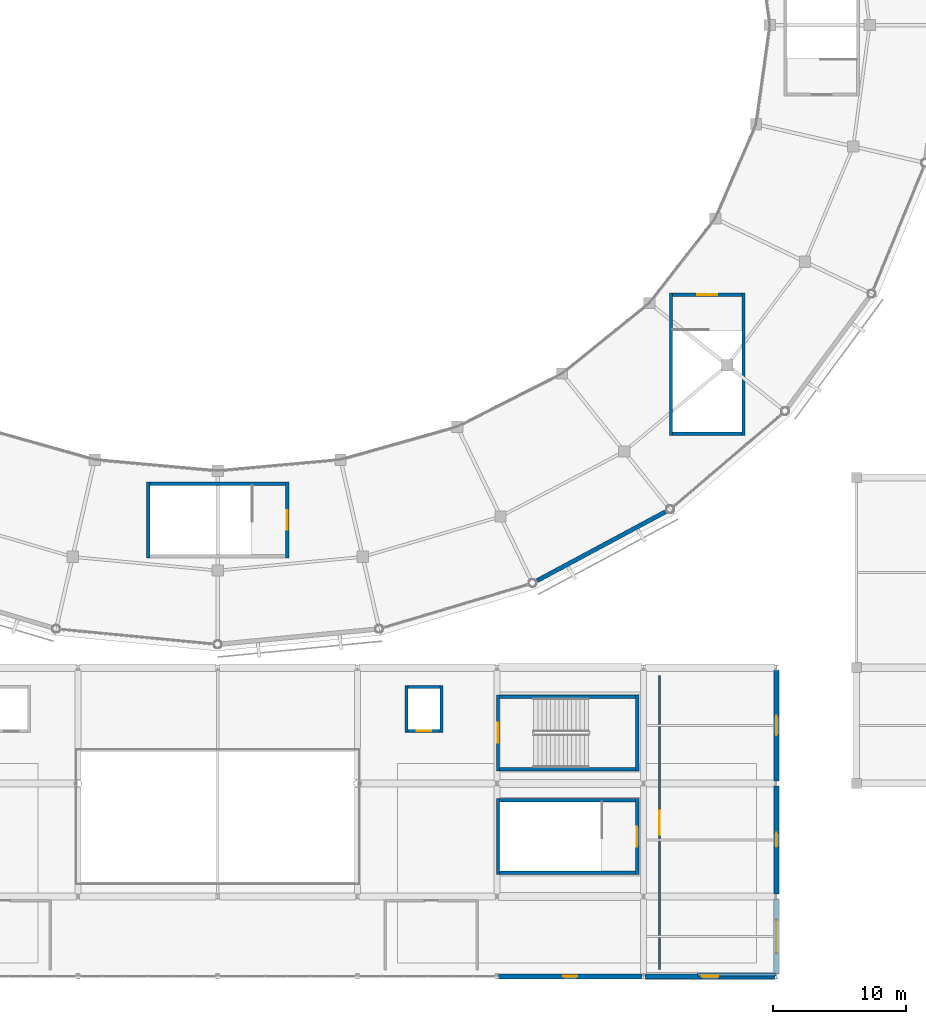
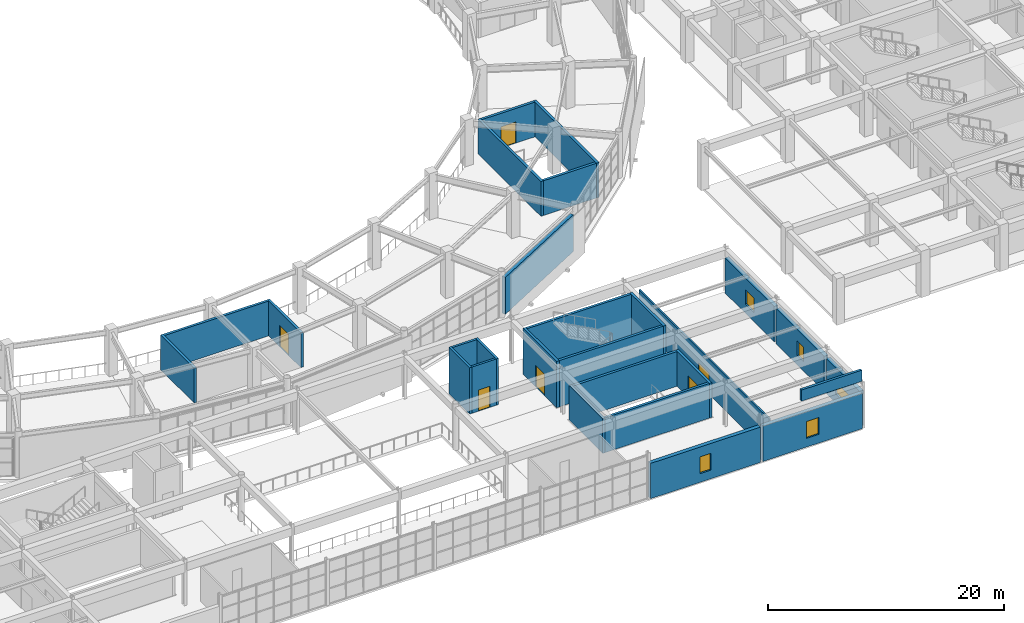
# One storey, part 82 of 112: 27 walls, 6 doors, 5 windows, 11 openings.
"""IFC4 building model written with IfcOpenShell, lengths in metres."""

from ifc_helpers import new_model, si_unit, direction, frame, frame_2d, origin, place, context, subcontext, project, spatial, rectangle, extrude, material, layer, layer_set, type_object, element, fill, save


model = new_model("IFC4")

# Units and contexts
model_context = context("Model", 3, precision=1e-05, world=origin(), true_north=direction((0.0, 1.0)))
body_context = subcontext(model_context, "Body", "Model", "MODEL_VIEW")
ifc_project = project(units=[si_unit("LENGTHUNIT", "METRE"), si_unit("AREAUNIT", "SQUARE_METRE"), si_unit("VOLUMEUNIT", "CUBIC_METRE"), si_unit("PLANEANGLEUNIT", "RADIAN"), si_unit("MASSUNIT", "GRAM", prefix="KILO")], contexts=[model_context])

# Site, building, storey
site_placement = place(None, origin())
site = spatial("IfcSite", under=ifc_project, at=site_placement, CompositionType="ELEMENT")
building_placement = place(site_placement, origin())
building = spatial("IfcBuilding", under=site, at=building_placement, Name="Cuetzalor Civic Arena", CompositionType="ELEMENT")
storey_placement = place(building_placement, frame((0.0, 0.0, 11.39990234375)))
storey = spatial("IfcBuildingStorey", under=building, at=storey_placement, Name="L02", CompositionType="ELEMENT", Elevation=11.39990234375)

# Wall, opening, door
ifc_material_1 = material(Name="Acoustic steel-stud gypsum partition", Category="steel")
ifc_layer_1 = layer(ifc_material_1, 0.14990234375)
ifc_layer_set_1 = layer_set([ifc_layer_1], Name="Acoustic steel-stud gypsum partition")
wall_type_1 = type_object("IfcWallType", Name="AcousticGypsumPartition_150", PredefinedType="PARTITIONING", material=ifc_layer_set_1)
wall_1_placement = place(storey_placement, frame((33.199951171875, -71.0, 0.0), z_axis=(0.0, 0.0, 1.0), x_axis=(0.0, 1.0, 0.0)))
wall_1 = element("IfcWall", 1, at=wall_1_placement, inside=storey, type_object=wall_type_1, Name="Interior Partition IWALL:L02:0261", PredefinedType="PARTITIONING", context=body_context, shape_type="SweptSolid", body=[
    extrude(rectangle(XDim=22.10009765625, YDim=0.14990234375, at=frame_2d((11.050048828125, 0.0))), origin(), (0.0, 0.0, 1.0), 3.64501953125),
])
opening_1_placement = place(wall_1_placement, frame((10.14990234375, 0.0, 0.0)))
opening_1 = element("IfcOpeningElement", 2, at=opening_1_placement, cuts=wall_1, Name="Opening ID-06", PredefinedType="OPENING", context=body_context, shape_type="SweptSolid", body=[
    extrude(rectangle(XDim=1.800048828125, YDim=2.199951171875, at=frame_2d((0.89990234375, 1.10009765625))), frame((0.0, 0.0849609375, 0.0), z_axis=(0.0, -1.0, 0.0), x_axis=(1.0, 0.0, 0.0)), (0.0, 0.0, 1.0), 0.169921875),
])
ifc_material_2 = material(Name="Glazed bronze acoustic double door", Category="metal")
door_type_1 = type_object("IfcDoorType", Name="PublicDoubleDoor_1800x2200", OperationType="DOUBLE_DOOR_SINGLE_SWING", PredefinedType="DOOR", material=ifc_material_2)
door_1_placement = place(opening_1_placement, origin())
door_1 = element("IfcDoor", 3, at=door_1_placement, inside=storey, type_object=door_type_1, Name="Door to Sponsors Dining Hall East", OperationType="DOUBLE_DOOR_SINGLE_SWING", OverallHeight=2.199951171875, OverallWidth=1.800048828125, PredefinedType="DOOR", context=body_context, shape_type="SweptSolid", body=[
    extrude(rectangle(XDim=1.800048828125, YDim=2.199951171875, at=frame_2d((0.89990234375, 1.10009765625))), frame((0.0, 0.02490234375, 0.0), z_axis=(0.0, -1.0, 0.0), x_axis=(1.0, 0.0, 0.0)), (0.0, 0.0, 1.0), 0.050048828125),
])
fill(opening_1, door_1)

# Walls
ifc_material_3 = material(Name="Puebla cantera gris stone parapet Concrete C35/45", Category="masonry")
ifc_layer_2 = layer(ifc_material_3, 0.239990234375)
ifc_layer_set_2 = layer_set([ifc_layer_2], Name="Puebla cantera gris stone parapet Concrete C35/45")
wall_type_2 = type_object("IfcWallType", Name="CanteraRoofParapet_240", PredefinedType="PARAPET", material=ifc_layer_set_2)
wall_2_placement = place(storey_placement, frame((36.050048828125, -71.35009765625, 4.75), z_axis=(0.0, 0.0, 1.0), x_axis=(1.0, 0.0, 0.0)))
element("IfcWall", 4, at=wall_2_placement, inside=storey, type_object=wall_type_2, Name="Roof Parapet 08 L02-256", PredefinedType="PARAPET", context=body_context, shape_type="SweptSolid", body=[
    extrude(rectangle(XDim=5.89990234375, YDim=0.239990234375, at=frame_2d((2.949951171875, 0.0))), origin(), (0.0, 0.0, 1.0), 1.150146484375),
])
ifc_material_4 = material(Name="Concrete C40/50", Category="concrete")
ifc_layer_3 = layer(ifc_material_4, 0.25)
ifc_layer_set_3 = layer_set([ifc_layer_3], Name="Concrete C40/50")
wall_type_3 = type_object("IfcWallType", Name="ConcreteCoreShearWall_250", PredefinedType="SHEAR", material=ifc_layer_set_3)
wall_3_placement = place(storey_placement, frame((-5.22509765625, -40.050048828125, 0.0), z_axis=(0.0, 0.0, 1.0), x_axis=(0.0, 1.0, 0.0)))
element("IfcWall", 5, at=wall_3_placement, inside=storey, type_object=wall_type_3, Name="Stair Core Shear Wall ST-07-L02-W", PredefinedType="SHEAR", context=body_context, shape_type="SweptSolid", body=[
    extrude(rectangle(XDim=5.699951171875, YDim=0.25, at=frame_2d((2.85009765625, 0.0))), origin(), (0.0, 0.0, 1.0), 3.60009765625),
])
wall_4_placement = place(storey_placement, frame((-5.10009765625, -34.47509765625, 0.0), z_axis=(0.0, 0.0, 1.0), x_axis=(1.0, 0.0, 0.0)))
element("IfcWall", 6, at=wall_4_placement, inside=storey, type_object=wall_type_3, Name="Stair Core Shear Wall ST-07-L02-N", PredefinedType="SHEAR", context=body_context, shape_type="SweptSolid", body=[
    extrude(rectangle(XDim=10.2001953125, YDim=0.25, at=frame_2d((5.10009765625, 0.0))), origin(), (0.0, 0.0, 1.0), 3.60009765625),
])

# Wall, opening, door
wall_5_placement = place(storey_placement, frame((5.22509765625, -34.35009765625, 0.0), z_axis=(0.0, 0.0, 1.0), x_axis=(0.0, -1.0, 0.0)))
wall_5 = element("IfcWall", 7, at=wall_5_placement, inside=storey, type_object=wall_type_3, Name="Stair Core Shear Wall ST-07-L02-E", PredefinedType="SHEAR", context=body_context, shape_type="SweptSolid", body=[
    extrude(rectangle(XDim=5.699951171875, YDim=0.25, at=frame_2d((2.85009765625, 0.0))), origin(), (0.0, 0.0, 1.0), 3.60009765625),
])
opening_2_placement = place(wall_5_placement, frame((2.10009765625, 0.0, 0.0)))
opening_2 = element("IfcOpeningElement", 8, at=opening_2_placement, cuts=wall_5, Name="Opening FD-03", PredefinedType="OPENING", context=body_context, shape_type="SweptSolid", body=[
    extrude(rectangle(XDim=1.5, YDim=2.199951171875, at=frame_2d((0.75, 1.10009765625))), frame((0.0, 0.135009765625, 0.0), z_axis=(0.0, -1.0, 0.0), x_axis=(1.0, 0.0, 0.0)), (0.0, 0.0, 1.0), 0.27001953125),
])
ifc_material_5 = material(Name="Fire-rated steel stair exit double door", Category="steel")
door_type_2 = type_object("IfcDoorType", Name="StairFireDoubleDoor_1500x2200", OperationType="DOUBLE_DOOR_SINGLE_SWING", PredefinedType="DOOR", material=ifc_material_5)
door_2_placement = place(opening_2_placement, origin())
door_2 = element("IfcDoor", 9, at=door_2_placement, inside=storey, type_object=door_type_2, Name="Fire Stair Door ST-07 L02", OperationType="DOUBLE_DOOR_SINGLE_SWING", OverallHeight=2.199951171875, OverallWidth=1.5, PredefinedType="DOOR", context=body_context, shape_type="SweptSolid", body=[
    extrude(rectangle(XDim=1.5, YDim=2.199951171875, at=frame_2d((0.75, 1.10009765625))), frame((0.0, 0.02490234375, 0.0), z_axis=(0.0, -1.0, 0.0), x_axis=(1.0, 0.0, 0.0)), (0.0, 0.0, 1.0), 0.050048828125),
])
fill(opening_2, door_2)

# Wall
wall_6_placement = place(storey_placement, frame((34.074951171875, -30.85009765625, 0.0), z_axis=(0.0, 0.0, 1.0), x_axis=(0.0, 1.0, 0.0)))
element("IfcWall", 10, at=wall_6_placement, inside=storey, type_object=wall_type_3, Name="Stair Core Shear Wall ST-08-L02-W", PredefinedType="SHEAR", context=body_context, shape_type="SweptSolid", body=[
    extrude(rectangle(XDim=10.7001953125, YDim=0.25, at=frame_2d((5.35009765625, 0.0))), origin(), (0.0, 0.0, 1.0), 3.60009765625),
])

# Wall, opening, door
wall_7_placement = place(storey_placement, frame((34.199951171875, -20.27490234375, 0.0), z_axis=(0.0, 0.0, 1.0), x_axis=(1.0, 0.0, 0.0)))
wall_7 = element("IfcWall", 11, at=wall_7_placement, inside=storey, type_object=wall_type_3, Name="Stair Core Shear Wall ST-08-L02-N", PredefinedType="SHEAR", context=body_context, shape_type="SweptSolid", body=[
    extrude(rectangle(XDim=5.199951171875, YDim=0.25, at=frame_2d((2.60009765625, 0.0))), origin(), (0.0, 0.0, 1.0), 3.60009765625),
])
opening_3_placement = place(wall_7_placement, frame((1.85009765625, 0.0, 0.0)))
opening_3 = element("IfcOpeningElement", 12, at=opening_3_placement, cuts=wall_7, Name="Opening FD-03", PredefinedType="OPENING", context=body_context, shape_type="SweptSolid", body=[
    extrude(rectangle(XDim=1.5, YDim=2.199951171875, at=frame_2d((0.75, 1.10009765625))), frame((0.0, 0.135009765625, 0.0), z_axis=(0.0, -1.0, 0.0), x_axis=(1.0, 0.0, 0.0)), (0.0, 0.0, 1.0), 0.27001953125),
])
door_3_placement = place(opening_3_placement, origin())
door_3 = element("IfcDoor", 13, at=door_3_placement, inside=storey, type_object=door_type_2, Name="Fire Stair Door ST-08 L02", OperationType="DOUBLE_DOOR_SINGLE_SWING", OverallHeight=2.199951171875, OverallWidth=1.5, PredefinedType="DOOR", context=body_context, shape_type="SweptSolid", body=[
    extrude(rectangle(XDim=1.5, YDim=2.199951171875, at=frame_2d((0.75, 1.10009765625))), frame((0.0, 0.02490234375, 0.0), z_axis=(0.0, -1.0, 0.0), x_axis=(1.0, 0.0, 0.0)), (0.0, 0.0, 1.0), 0.050048828125),
])
fill(opening_3, door_3)

# Walls
wall_8_placement = place(storey_placement, frame((39.52490234375, -20.14990234375, 0.0), z_axis=(0.0, 0.0, 1.0), x_axis=(0.0, -1.0, 0.0)))
element("IfcWall", 14, at=wall_8_placement, inside=storey, type_object=wall_type_3, Name="Stair Core Shear Wall ST-08-L02-E", PredefinedType="SHEAR", context=body_context, shape_type="SweptSolid", body=[
    extrude(rectangle(XDim=10.7001953125, YDim=0.25, at=frame_2d((5.35009765625, 0.0))), origin(), (0.0, 0.0, 1.0), 3.60009765625),
])
wall_9_placement = place(storey_placement, frame((39.39990234375, -30.72509765625, 0.0), z_axis=(0.0, 0.0, 1.0), x_axis=(-1.0, 0.0, 0.0)))
element("IfcWall", 15, at=wall_9_placement, inside=storey, type_object=wall_type_3, Name="Stair Core Shear Wall ST-08-L02-S", PredefinedType="SHEAR", context=body_context, shape_type="SweptSolid", body=[
    extrude(rectangle(XDim=5.199951171875, YDim=0.25, at=frame_2d((2.60009765625, 0.0))), origin(), (0.0, 0.0, 1.0), 3.60009765625),
])

# Wall, opening, door
wall_10_placement = place(storey_placement, frame((21.074951171875, -56.050048828125, 0.0), z_axis=(0.0, 0.0, 1.0), x_axis=(0.0, 1.0, 0.0)))
wall_10 = element("IfcWall", 16, at=wall_10_placement, inside=storey, type_object=wall_type_3, Name="Stair Core Shear Wall ST-11-L02-W", PredefinedType="SHEAR", context=body_context, shape_type="SweptSolid", body=[
    extrude(rectangle(XDim=5.699951171875, YDim=0.25, at=frame_2d((2.85009765625, 0.0))), origin(), (0.0, 0.0, 1.0), 4.800048828125),
])
opening_4_placement = place(wall_10_placement, frame((2.10009765625, 0.0, 0.0)))
opening_4 = element("IfcOpeningElement", 17, at=opening_4_placement, cuts=wall_10, Name="Opening FD-03", PredefinedType="OPENING", context=body_context, shape_type="SweptSolid", body=[
    extrude(rectangle(XDim=1.5, YDim=2.199951171875, at=frame_2d((0.75, 1.10009765625))), frame((0.0, 0.135009765625, 0.0), z_axis=(0.0, -1.0, 0.0), x_axis=(1.0, 0.0, 0.0)), (0.0, 0.0, 1.0), 0.27001953125),
])
door_4_placement = place(opening_4_placement, origin())
door_4 = element("IfcDoor", 18, at=door_4_placement, inside=storey, type_object=door_type_2, Name="Fire Stair Door ST-11 L02", OperationType="DOUBLE_DOOR_SINGLE_SWING", OverallHeight=2.199951171875, OverallWidth=1.5, PredefinedType="DOOR", context=body_context, shape_type="SweptSolid", body=[
    extrude(rectangle(XDim=1.5, YDim=2.199951171875, at=frame_2d((0.75, 1.10009765625))), frame((0.0, 0.02490234375, 0.0), z_axis=(0.0, -1.0, 0.0), x_axis=(1.0, 0.0, 0.0)), (0.0, 0.0, 1.0), 0.050048828125),
])
fill(opening_4, door_4)

# Walls
wall_11_placement = place(storey_placement, frame((21.199951171875, -50.47509765625, 0.0), z_axis=(0.0, 0.0, 1.0), x_axis=(1.0, 0.0, 0.0)))
element("IfcWall", 19, at=wall_11_placement, inside=storey, type_object=wall_type_3, Name="Stair Core Shear Wall ST-11-L02-N", PredefinedType="SHEAR", context=body_context, shape_type="SweptSolid", body=[
    extrude(rectangle(XDim=10.199951171875, YDim=0.25, at=frame_2d((5.10009765625, 0.0))), origin(), (0.0, 0.0, 1.0), 4.800048828125),
])
wall_12_placement = place(storey_placement, frame((31.52490234375, -50.35009765625, 0.0), z_axis=(0.0, 0.0, 1.0), x_axis=(0.0, -1.0, 0.0)))
element("IfcWall", 20, at=wall_12_placement, inside=storey, type_object=wall_type_3, Name="Stair Core Shear Wall ST-11-L02-E", PredefinedType="SHEAR", context=body_context, shape_type="SweptSolid", body=[
    extrude(rectangle(XDim=5.699951171875, YDim=0.25, at=frame_2d((2.85009765625, 0.0))), origin(), (0.0, 0.0, 1.0), 4.800048828125),
])
wall_13_placement = place(storey_placement, frame((31.39990234375, -55.925048828125, 0.0), z_axis=(0.0, 0.0, 1.0), x_axis=(-1.0, 0.0, 0.0)))
element("IfcWall", 21, at=wall_13_placement, inside=storey, type_object=wall_type_3, Name="Stair Core Shear Wall ST-11-L02-S", PredefinedType="SHEAR", context=body_context, shape_type="SweptSolid", body=[
    extrude(rectangle(XDim=10.199951171875, YDim=0.25, at=frame_2d((5.10009765625, 0.0))), origin(), (0.0, 0.0, 1.0), 4.800048828125),
])
wall_14_placement = place(storey_placement, frame((21.074951171875, -63.85009765625, 0.0), z_axis=(0.0, 0.0, 1.0), x_axis=(0.0, 1.0, 0.0)))
element("IfcWall", 22, at=wall_14_placement, inside=storey, type_object=wall_type_3, Name="Stair Core Shear Wall ST-12-L02-W", PredefinedType="SHEAR", context=body_context, shape_type="SweptSolid", body=[
    extrude(rectangle(XDim=5.7001953125, YDim=0.25, at=frame_2d((2.85009765625, 0.0))), origin(), (0.0, 0.0, 1.0), 3.60009765625),
])
wall_15_placement = place(storey_placement, frame((21.199951171875, -58.27490234375, 0.0), z_axis=(0.0, 0.0, 1.0), x_axis=(1.0, 0.0, 0.0)))
element("IfcWall", 23, at=wall_15_placement, inside=storey, type_object=wall_type_3, Name="Stair Core Shear Wall ST-12-L02-N", PredefinedType="SHEAR", context=body_context, shape_type="SweptSolid", body=[
    extrude(rectangle(XDim=10.199951171875, YDim=0.25, at=frame_2d((5.10009765625, 0.0))), origin(), (0.0, 0.0, 1.0), 3.60009765625),
])

# Wall, opening, door
wall_16_placement = place(storey_placement, frame((31.52490234375, -58.14990234375, 0.0), z_axis=(0.0, 0.0, 1.0), x_axis=(0.0, -1.0, 0.0)))
wall_16 = element("IfcWall", 24, at=wall_16_placement, inside=storey, type_object=wall_type_3, Name="Stair Core Shear Wall ST-12-L02-E", PredefinedType="SHEAR", context=body_context, shape_type="SweptSolid", body=[
    extrude(rectangle(XDim=5.7001953125, YDim=0.25, at=frame_2d((2.85009765625, 0.0))), origin(), (0.0, 0.0, 1.0), 3.60009765625),
])
opening_5_placement = place(wall_16_placement, frame((2.10009765625, 0.0, 0.0)))
opening_5 = element("IfcOpeningElement", 25, at=opening_5_placement, cuts=wall_16, Name="Opening FD-03", PredefinedType="OPENING", context=body_context, shape_type="SweptSolid", body=[
    extrude(rectangle(XDim=1.5, YDim=2.199951171875, at=frame_2d((0.75, 1.10009765625))), frame((0.0, 0.135009765625, 0.0), z_axis=(0.0, -1.0, 0.0), x_axis=(1.0, 0.0, 0.0)), (0.0, 0.0, 1.0), 0.27001953125),
])
door_5_placement = place(opening_5_placement, origin())
door_5 = element("IfcDoor", 26, at=door_5_placement, inside=storey, type_object=door_type_2, Name="Fire Stair Door ST-12 L02", OperationType="DOUBLE_DOOR_SINGLE_SWING", OverallHeight=2.199951171875, OverallWidth=1.5, PredefinedType="DOOR", context=body_context, shape_type="SweptSolid", body=[
    extrude(rectangle(XDim=1.5, YDim=2.199951171875, at=frame_2d((0.75, 1.10009765625))), frame((0.0, 0.02490234375, 0.0), z_axis=(0.0, -1.0, 0.0), x_axis=(1.0, 0.0, 0.0)), (0.0, 0.0, 1.0), 0.050048828125),
])
fill(opening_5, door_5)

# Walls
wall_17_placement = place(storey_placement, frame((31.39990234375, -63.72509765625, 0.0), z_axis=(0.0, 0.0, 1.0), x_axis=(-1.0, 0.0, 0.0)))
element("IfcWall", 27, at=wall_17_placement, inside=storey, type_object=wall_type_3, Name="Stair Core Shear Wall ST-12-L02-S", PredefinedType="SHEAR", context=body_context, shape_type="SweptSolid", body=[
    extrude(rectangle(XDim=10.199951171875, YDim=0.25, at=frame_2d((5.10009765625, 0.0))), origin(), (0.0, 0.0, 1.0), 3.60009765625),
])
ifc_material_6 = material(Name="Precast concrete C40/50 insulated cladding", Category="concrete")
ifc_layer_4 = layer(ifc_material_6, 0.320068359375)
ifc_layer_set_4 = layer_set([ifc_layer_4], Name="Precast concrete C40/50 insulated cladding")
wall_type_4 = type_object("IfcWallType", Name="InsulatedPrecastWall_320", PredefinedType="SOLIDWALL", material=ifc_layer_set_4)
wall_18_placement = place(storey_placement, frame((33.663330078125, -36.580810546875, 0.0), z_axis=(0.0, 0.0, 1.0), x_axis=(-0.881305503949, -0.472546938102, 0.0)))
element("IfcWall", 28, at=wall_18_placement, inside=storey, type_object=wall_type_4, Name="Drum Acoustic Backing Wall L02-038", PredefinedType="SOLIDWALL", context=body_context, shape_type="SweptSolid", body=[
    extrude(rectangle(XDim=10.9462890625, YDim=0.320068359375, at=frame_2d((5.47314453125, 0.0))), origin(), (0.0, 0.0, 1.0), 3.83203125),
])
ifc_material_7 = material(Name="Concrete C40/50", Category="concrete")
ifc_layer_5 = layer(ifc_material_7, 0.219970703125)
ifc_layer_set_5 = layer_set([ifc_layer_5], Name="Concrete C40/50")
wall_type_5 = type_object("IfcWallType", Name="LiftShaftShearWall_220", PredefinedType="SHEAR", material=ifc_layer_set_5)
wall_19_placement = place(storey_placement, frame((14.18994140625, -53.169921875, 0.0), z_axis=(0.0, 0.0, 1.0), x_axis=(0.0, 1.0, 0.0)))
element("IfcWall", 29, at=wall_19_placement, inside=storey, type_object=wall_type_5, Name="Lift Shaft Wall LP-02-L02-W", PredefinedType="SHEAR", context=body_context, shape_type="SweptSolid", body=[
    extrude(rectangle(XDim=3.5400390625, YDim=0.219970703125, at=frame_2d((1.77001953125, 0.0))), origin(), (0.0, 0.0, 1.0), 4.800048828125),
])
wall_20_placement = place(storey_placement, frame((14.300048828125, -49.739990234375, 0.0), z_axis=(0.0, 0.0, 1.0), x_axis=(1.0, 0.0, 0.0)))
element("IfcWall", 30, at=wall_20_placement, inside=storey, type_object=wall_type_5, Name="Lift Shaft Wall LP-02-L02-N", PredefinedType="SHEAR", context=body_context, shape_type="SweptSolid", body=[
    extrude(rectangle(XDim=2.39990234375, YDim=0.219970703125, at=frame_2d((1.199951171875, 0.0))), origin(), (0.0, 0.0, 1.0), 4.800048828125),
])
wall_21_placement = place(storey_placement, frame((16.81005859375, -49.6298828125, 0.0), z_axis=(0.0, 0.0, 1.0), x_axis=(0.0, -1.0, 0.0)))
element("IfcWall", 31, at=wall_21_placement, inside=storey, type_object=wall_type_5, Name="Lift Shaft Wall LP-02-L02-E", PredefinedType="SHEAR", context=body_context, shape_type="SweptSolid", body=[
    extrude(rectangle(XDim=3.5400390625, YDim=0.219970703125, at=frame_2d((1.77001953125, 0.0))), origin(), (0.0, 0.0, 1.0), 4.800048828125),
])

# Wall, opening, door
wall_22_placement = place(storey_placement, frame((16.699951171875, -53.06005859375, 0.0), z_axis=(0.0, 0.0, 1.0), x_axis=(-1.0, 0.0, 0.0)))
wall_22 = element("IfcWall", 32, at=wall_22_placement, inside=storey, type_object=wall_type_5, Name="Lift Shaft Wall LP-02-L02-S", PredefinedType="SHEAR", context=body_context, shape_type="SweptSolid", body=[
    extrude(rectangle(XDim=2.39990234375, YDim=0.219970703125, at=frame_2d((1.199951171875, 0.0))), origin(), (0.0, 0.0, 1.0), 4.800048828125),
])
opening_6_placement = place(wall_22_placement, frame((0.64990234375, 0.0, 0.0)))
opening_6 = element("IfcOpeningElement", 33, at=opening_6_placement, cuts=wall_22, Name="Opening LD-01", PredefinedType="OPENING", context=body_context, shape_type="SweptSolid", body=[
    extrude(rectangle(XDim=1.10009765625, YDim=2.199951171875, at=frame_2d((0.550048828125, 1.10009765625))), frame((0.0, 0.1201171875, 0.0), z_axis=(0.0, -1.0, 0.0), x_axis=(1.0, 0.0, 0.0)), (0.0, 0.0, 1.0), 0.239990234375),
])
ifc_material_8 = material(Name="Brushed stainless steel sliding lift landing door", Category="steel")
door_type_3 = type_object("IfcDoorType", Name="LiftLandingSlidingDoor_1100x2200", OperationType="SLIDING_TO_LEFT", PredefinedType="DOOR", material=ifc_material_8)
door_6_placement = place(opening_6_placement, origin())
door_6 = element("IfcDoor", 34, at=door_6_placement, inside=storey, type_object=door_type_3, Name="Lift Landing Sliding Door LP-02 L02", OperationType="SLIDING_TO_LEFT", OverallHeight=2.199951171875, OverallWidth=1.10009765625, PredefinedType="DOOR", context=body_context, shape_type="SweptSolid", body=[
    extrude(rectangle(XDim=1.10009765625, YDim=2.199951171875, at=frame_2d((0.550048828125, 1.10009765625))), frame((0.0, 0.02490234375, 0.0), z_axis=(0.0, -1.0, 0.0), x_axis=(1.0, 0.0, 0.0)), (0.0, 0.0, 1.0), 0.050048828125),
])
fill(opening_6, door_6)

# Wall, opening, window
ifc_material_9 = material(Name="Polychrome Talavera ceramic on Concrete C35/45", Category="concrete")
ifc_layer_6 = layer(ifc_material_9, 0.3798828125)
ifc_layer_set_6 = layer_set([ifc_layer_6], Name="Polychrome Talavera ceramic on Concrete C35/45")
wall_type_6 = type_object("IfcWallType", Name="TalaveraSpandrelWall_380", PredefinedType="SOLIDWALL", material=ifc_layer_set_6)
wall_23_placement = place(storey_placement, frame((42.0, -65.677490234375, 0.0), z_axis=(0.0, 0.0, 1.0), x_axis=(0.0, -1.0, 0.0)))
wall_23 = element("IfcWall", 35, at=wall_23_placement, inside=storey, type_object=wall_type_6, Name="South Foyer East End Wall L02-106", PredefinedType="SOLIDWALL", context=body_context, shape_type="SweptSolid", body=[
    extrude(rectangle(XDim=5.64501953125, YDim=0.3798828125, at=frame_2d((2.822509765625, 0.0))), origin(), (0.0, 0.0, 1.0), 3.66015625),
])
opening_7_placement = place(wall_23_placement, frame((1.572509765625, 0.0, 0.949951171875)))
opening_7 = element("IfcOpeningElement", 36, at=opening_7_placement, cuts=wall_23, Name="Opening WN-08", PredefinedType="OPENING", context=body_context, shape_type="SweptSolid", body=[
    extrude(rectangle(XDim=2.5, YDim=1.25, at=frame_2d((1.25, 0.625))), frame((0.0, 0.199951171875, 0.0), z_axis=(0.0, -1.0, 0.0), x_axis=(1.0, 0.0, 0.0)), (0.0, 0.0, 1.0), 0.39990234375),
])
ifc_material_10 = material(Name="Anodised bronze aluminium and low-E solar glass", Category="aluminium")
window_type_1 = type_object("IfcWindowType", Name="BronzeThermalWindow_2500x1250", PartitioningType="DOUBLE_PANEL_VERTICAL", PredefinedType="WINDOW", material=ifc_material_10)
window_1_placement = place(opening_7_placement, origin())
window_1 = element("IfcWindow", 37, at=window_1_placement, inside=storey, type_object=window_type_1, Name="Foyer Window L02-0008", OverallHeight=1.25, OverallWidth=2.5, PartitioningType="SINGLE_PANEL", PredefinedType="WINDOW", context=body_context, shape_type="SweptSolid", body=[
    extrude(rectangle(XDim=2.5, YDim=1.25, at=frame_2d((1.25, 0.625))), frame((0.0, 0.030029296875, 0.0), z_axis=(0.0, -1.0, 0.0), x_axis=(1.0, 0.0, 0.0)), (0.0, 0.0, 1.0), 0.06005859375),
])
fill(opening_7, window_1)

wall_24_placement = place(storey_placement, frame((42.0, -57.177490234375, 0.0), z_axis=(0.0, 0.0, 1.0), x_axis=(0.0, -1.0, 0.0)))
wall_24 = element("IfcWall", 38, at=wall_24_placement, inside=storey, type_object=wall_type_6, Name="South Foyer East End Wall L02-108", PredefinedType="SOLIDWALL", context=body_context, shape_type="SweptSolid", body=[
    extrude(rectangle(XDim=8.14501953125, YDim=0.3798828125, at=frame_2d((4.072509765625, 0.0))), origin(), (0.0, 0.0, 1.0), 3.66015625),
])
opening_8_placement = place(wall_24_placement, frame((3.547607421875, 0.0, 0.949951171875)))
opening_8 = element("IfcOpeningElement", 39, at=opening_8_placement, cuts=wall_24, Name="Opening WN-10", PredefinedType="OPENING", context=body_context, shape_type="SweptSolid", body=[
    extrude(rectangle(XDim=1.050048828125, YDim=1.5, at=frame_2d((0.52490234375, 0.75))), frame((0.0, 0.199951171875, 0.0), z_axis=(0.0, -1.0, 0.0), x_axis=(1.0, 0.0, 0.0)), (0.0, 0.0, 1.0), 0.39990234375),
])
ifc_material_11 = material(Name="Anodised bronze aluminium and low-E solar glass", Category="aluminium")
window_type_2 = type_object("IfcWindowType", Name="BronzeThermalWindow_1050x1500", PartitioningType="SINGLE_PANEL", PredefinedType="WINDOW", material=ifc_material_11)
window_2_placement = place(opening_8_placement, origin())
window_2 = element("IfcWindow", 40, at=window_2_placement, inside=storey, type_object=window_type_2, Name="Foyer Window L02-0010", OverallHeight=1.5, OverallWidth=1.050048828125, PartitioningType="SINGLE_PANEL", PredefinedType="WINDOW", context=body_context, shape_type="SweptSolid", body=[
    extrude(rectangle(XDim=1.050048828125, YDim=1.5, at=frame_2d((0.52490234375, 0.75))), frame((0.0, 0.030029296875, 0.0), z_axis=(0.0, -1.0, 0.0), x_axis=(1.0, 0.0, 0.0)), (0.0, 0.0, 1.0), 0.06005859375),
])
fill(opening_8, window_2)

wall_25_placement = place(storey_placement, frame((42.0, -48.4775390625, 0.0), z_axis=(0.0, 0.0, 1.0), x_axis=(0.0, -1.0, 0.0)))
wall_25 = element("IfcWall", 41, at=wall_25_placement, inside=storey, type_object=wall_type_6, Name="South Foyer East End Wall L02-110", PredefinedType="SOLIDWALL", context=body_context, shape_type="SweptSolid", body=[
    extrude(rectangle(XDim=8.344970703125, YDim=0.3798828125, at=frame_2d((4.17236328125, 0.0))), origin(), (0.0, 0.0, 1.0), 3.66015625),
])
opening_9_placement = place(wall_25_placement, frame((3.447509765625, 0.0, 0.949951171875)))
opening_9 = element("IfcOpeningElement", 42, at=opening_9_placement, cuts=wall_25, Name="Opening WN-12", PredefinedType="OPENING", context=body_context, shape_type="SweptSolid", body=[
    extrude(rectangle(XDim=1.449951171875, YDim=1.5, at=frame_2d((0.72509765625, 0.75))), frame((0.0, 0.199951171875, 0.0), z_axis=(0.0, -1.0, 0.0), x_axis=(1.0, 0.0, 0.0)), (0.0, 0.0, 1.0), 0.39990234375),
])
ifc_material_12 = material(Name="Anodised bronze aluminium and low-E solar glass", Category="aluminium")
window_type_3 = type_object("IfcWindowType", Name="BronzeThermalWindow_1450x1500", PartitioningType="SINGLE_PANEL", PredefinedType="WINDOW", material=ifc_material_12)
window_3_placement = place(opening_9_placement, origin())
window_3 = element("IfcWindow", 43, at=window_3_placement, inside=storey, type_object=window_type_3, Name="Foyer Window L02-0012", OverallHeight=1.5, OverallWidth=1.449951171875, PartitioningType="SINGLE_PANEL", PredefinedType="WINDOW", context=body_context, shape_type="SweptSolid", body=[
    extrude(rectangle(XDim=1.449951171875, YDim=1.5, at=frame_2d((0.72509765625, 0.75))), frame((0.0, 0.030029296875, 0.0), z_axis=(0.0, -1.0, 0.0), x_axis=(1.0, 0.0, 0.0)), (0.0, 0.0, 1.0), 0.06005859375),
])
fill(opening_9, window_3)

wall_26_placement = place(storey_placement, frame((31.87548828125, -71.5, 0.0), z_axis=(0.0, 0.0, 1.0), x_axis=(-1.0, 0.0, 0.0)))
wall_26 = element("IfcWall", 44, at=wall_26_placement, inside=storey, type_object=wall_type_6, Name="South Talavera Facade Wall L02-117", PredefinedType="SOLIDWALL", context=body_context, shape_type="SweptSolid", body=[
    extrude(rectangle(XDim=10.7509765625, YDim=0.3798828125, at=frame_2d((5.37548828125, 0.0))), origin(), (0.0, 0.0, 1.0), 3.66015625),
])
opening_10_placement = place(wall_26_placement, frame((4.8505859375, 0.0, 0.89990234375)))
opening_10 = element("IfcOpeningElement", 45, at=opening_10_placement, cuts=wall_26, Name="Opening WN-19", PredefinedType="OPENING", context=body_context, shape_type="SweptSolid", body=[
    extrude(rectangle(XDim=1.050048828125, YDim=1.75, at=frame_2d((0.52490234375, 0.875))), frame((0.0, 0.199951171875, 0.0), z_axis=(0.0, -1.0, 0.0), x_axis=(1.0, 0.0, 0.0)), (0.0, 0.0, 1.0), 0.39990234375),
])
ifc_material_13 = material(Name="Anodised bronze aluminium and low-E solar glass", Category="aluminium")
window_type_4 = type_object("IfcWindowType", Name="BronzeThermalWindow_1050x1750", PartitioningType="SINGLE_PANEL", PredefinedType="WINDOW", material=ifc_material_13)
window_4_placement = place(opening_10_placement, origin())
window_4 = element("IfcWindow", 46, at=window_4_placement, inside=storey, type_object=window_type_4, Name="Talavera Gallery Window L02-0019", OverallHeight=1.75, OverallWidth=1.050048828125, PartitioningType="SINGLE_PANEL", PredefinedType="WINDOW", context=body_context, shape_type="SweptSolid", body=[
    extrude(rectangle(XDim=1.050048828125, YDim=1.75, at=frame_2d((0.52490234375, 0.875))), frame((0.0, 0.030029296875, 0.0), z_axis=(0.0, -1.0, 0.0), x_axis=(1.0, 0.0, 0.0)), (0.0, 0.0, 1.0), 0.06005859375),
])
fill(opening_10, window_4)

wall_27_placement = place(storey_placement, frame((41.87548828125, -71.5, 0.0), z_axis=(0.0, 0.0, 1.0), x_axis=(-1.0, 0.0, 0.0)))
wall_27 = element("IfcWall", 47, at=wall_27_placement, inside=storey, type_object=wall_type_6, Name="South Talavera Facade Wall L02-118", PredefinedType="SOLIDWALL", context=body_context, shape_type="SweptSolid", body=[
    extrude(rectangle(XDim=9.7509765625, YDim=0.3798828125, at=frame_2d((4.87548828125, 0.0))), origin(), (0.0, 0.0, 1.0), 3.66015625),
])
opening_11_placement = place(wall_27_placement, frame((4.25048828125, 0.0, 0.89990234375)))
opening_11 = element("IfcOpeningElement", 48, at=opening_11_placement, cuts=wall_27, Name="Opening WN-20", PredefinedType="OPENING", context=body_context, shape_type="SweptSolid", body=[
    extrude(rectangle(XDim=1.25, YDim=1.75, at=frame_2d((0.625, 0.875))), frame((0.0, 0.199951171875, 0.0), z_axis=(0.0, -1.0, 0.0), x_axis=(1.0, 0.0, 0.0)), (0.0, 0.0, 1.0), 0.39990234375),
])
ifc_material_14 = material(Name="Anodised bronze aluminium and low-E solar glass", Category="aluminium")
window_type_5 = type_object("IfcWindowType", Name="BronzeThermalWindow_1250x1750", PartitioningType="SINGLE_PANEL", PredefinedType="WINDOW", material=ifc_material_14)
window_5_placement = place(opening_11_placement, origin())
window_5 = element("IfcWindow", 49, at=window_5_placement, inside=storey, type_object=window_type_5, Name="Talavera Gallery Window L02-0020", OverallHeight=1.75, OverallWidth=1.25, PartitioningType="SINGLE_PANEL", PredefinedType="WINDOW", context=body_context, shape_type="SweptSolid", body=[
    extrude(rectangle(XDim=1.25, YDim=1.75, at=frame_2d((0.625, 0.875))), frame((0.0, 0.030029296875, 0.0), z_axis=(0.0, -1.0, 0.0), x_axis=(1.0, 0.0, 0.0)), (0.0, 0.0, 1.0), 0.06005859375),
])
fill(opening_11, window_5)

save(model, "model.ifc")
